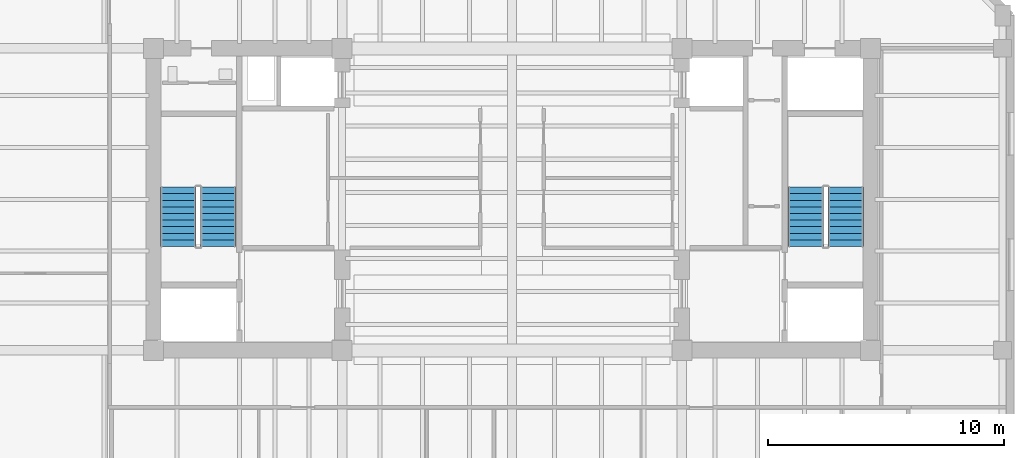
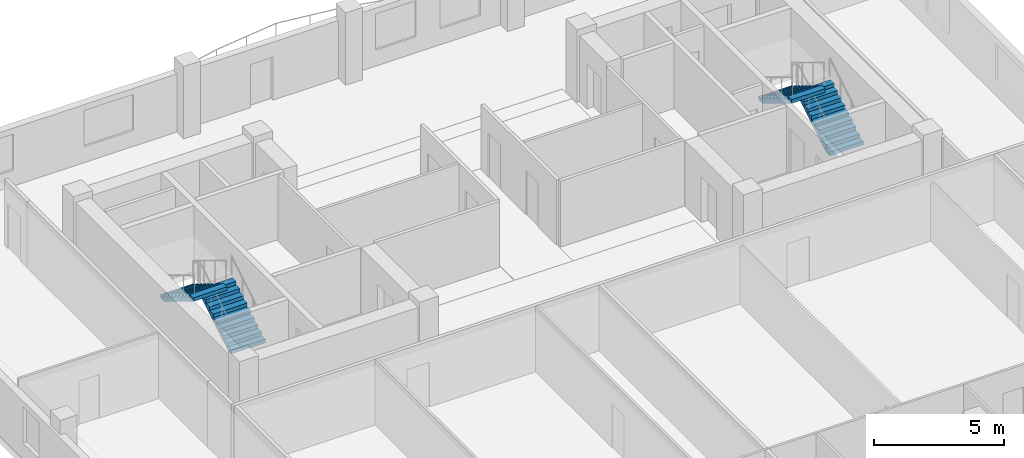
# One storey, part 6 of 11: 4 stair flights, 2 elements without a shape of their own.
"""IFC4 building model written with IfcOpenShell, lengths in metres."""

from ifc_helpers import new_model, si_unit, direction, frame, origin, place, context, subcontext, project, spatial, polyline, outline, extrude, material, type_object, element, aggregate, save


model = new_model("IFC4")

# Units and contexts
model_context = context("Model", 3, precision=1e-05, world=origin(), true_north=direction((0.0, 1.0)))
body_context = subcontext(model_context, "Body", "Model", "MODEL_VIEW")
ifc_project = project(units=[si_unit("LENGTHUNIT", "METRE"), si_unit("AREAUNIT", "SQUARE_METRE"), si_unit("VOLUMEUNIT", "CUBIC_METRE"), si_unit("PLANEANGLEUNIT", "RADIAN"), si_unit("MASSUNIT", "GRAM", prefix="KILO")], contexts=[model_context])

# Site, building, storey
site_placement = place(None, origin())
site = spatial("IfcSite", under=ifc_project, at=site_placement, CompositionType="ELEMENT")
building_placement = place(site_placement, origin())
building = spatial("IfcBuilding", under=site, at=building_placement, Name="Kranthara Brick Stack", CompositionType="ELEMENT")
storey_placement = place(building_placement, frame((0.0, 0.0, 210.89990234375)))
storey = spatial("IfcBuildingStorey", under=building, at=storey_placement, Name="L54", CompositionType="ELEMENT", Elevation=210.89990234375)

# Stair, stair flights
ifc_material_1 = material(Name="Concrete C45/55", Category="concrete")
stair_type = type_object("IfcStairType", Name="ST-CORE-20R", PredefinedType="HALF_TURN_STAIR", material=ifc_material_1)
stair_1_placement = place(storey_placement, origin())
stair_1 = element("IfcStair", 1, at=stair_1_placement, inside=storey, type_object=stair_type, Name="L54 West Core Protected Exit Stair ST01", PredefinedType="HALF_TURN_STAIR")
ifc_material_2 = material(Name="Concrete C45/55", Category="concrete")
stair_flight_type = type_object("IfcStairFlightType", Name="SFL-RC-20R", PredefinedType="STRAIGHT", material=ifc_material_2)
stair_flight_1_placement = place(storey_placement, frame((15.550048828125, 25.199951171875, 0.0), z_axis=(0.0, 0.0, 1.0), x_axis=(0.0, 1.0, 0.0)))
stair_flight_1 = element("IfcStairFlight", 2, at=stair_flight_1_placement, type_object=stair_flight_type, Name="ST01 flight 1", NumberOfRisers=10, NumberOfTreads=9, PredefinedType="STRAIGHT", RiserHeight=0.17, TreadLength=0.28, context=body_context, shape_type="SweptSolid", body=[
    extrude(outline(polyline([(0.0, 0.0), (0.0, 0.169921875), (0.280029296875, 0.169921875), (0.280029296875, 0.340087890625), (0.56005859375, 0.340087890625), (0.56005859375, 0.510009765625), (0.840087890625, 0.510009765625), (0.840087890625, 0.679931640625), (1.1201171875, 0.679931640625), (1.1201171875, 0.85009765625), (1.39990234375, 0.85009765625), (1.39990234375, 1.02001953125), (1.679931640625, 1.02001953125), (1.679931640625, 1.18994140625), (1.9599609375, 1.18994140625), (1.9599609375, 1.360107421875), (2.239990234375, 1.360107421875), (2.239990234375, 1.530029296875), (2.52001953125, 1.530029296875), (2.52001953125, 1.699951171875), (2.52001953125, 1.354736328125), (0.288818359375, 0.0), (0.0, 0.0)])), frame((0.0, 0.75, 0.0), z_axis=(0.0, -1.0, 0.0), x_axis=(1.0, 0.0, 0.0)), (0.0, 0.0, 1.0), 1.5),
])
stair_flight_2_placement = place(storey_placement, frame((13.85009765625, 27.719970703125, 1.7001953125), z_axis=(0.0, 0.0, 1.0), x_axis=(0.0, -1.0, 0.0)))
stair_flight_2 = element("IfcStairFlight", 3, at=stair_flight_2_placement, type_object=stair_flight_type, Name="ST01 flight 2", NumberOfRisers=10, NumberOfTreads=9, PredefinedType="STRAIGHT", RiserHeight=0.17, TreadLength=0.28, context=body_context, shape_type="SweptSolid", body=[
    extrude(outline(polyline([(0.0, 0.0), (0.0, 0.169921875), (0.280029296875, 0.169921875), (0.280029296875, 0.340087890625), (0.56005859375, 0.340087890625), (0.56005859375, 0.510009765625), (0.840087890625, 0.510009765625), (0.840087890625, 0.679931640625), (1.1201171875, 0.679931640625), (1.1201171875, 0.85009765625), (1.39990234375, 0.85009765625), (1.39990234375, 1.02001953125), (1.679931640625, 1.02001953125), (1.679931640625, 1.18994140625), (1.9599609375, 1.18994140625), (1.9599609375, 1.360107421875), (2.239990234375, 1.360107421875), (2.239990234375, 1.530029296875), (2.52001953125, 1.530029296875), (2.52001953125, 1.699951171875), (2.52001953125, 1.354736328125), (0.288818359375, 0.0), (0.0, 0.0)])), frame((0.0, 0.75, 0.0), z_axis=(0.0, -1.0, 0.0), x_axis=(1.0, 0.0, 0.0)), (0.0, 0.0, 1.0), 1.5),
])
aggregate(stair_1, [stair_flight_1, stair_flight_2])

stair_2_placement = place(storey_placement, origin())
stair_2 = element("IfcStair", 4, at=stair_2_placement, inside=storey, type_object=stair_type, Name="L54 East Core Protected Exit Stair ST02", PredefinedType="HALF_TURN_STAIR")
stair_flight_3_placement = place(storey_placement, frame((42.14990234375, 25.199951171875, 0.0), z_axis=(0.0, 0.0, 1.0), x_axis=(0.0, 1.0, 0.0)))
stair_flight_3 = element("IfcStairFlight", 5, at=stair_flight_3_placement, type_object=stair_flight_type, Name="ST02 flight 1", NumberOfRisers=10, NumberOfTreads=9, PredefinedType="STRAIGHT", RiserHeight=0.17, TreadLength=0.28, context=body_context, shape_type="SweptSolid", body=[
    extrude(outline(polyline([(0.0, 0.0), (0.0, 0.169921875), (0.280029296875, 0.169921875), (0.280029296875, 0.340087890625), (0.56005859375, 0.340087890625), (0.56005859375, 0.510009765625), (0.840087890625, 0.510009765625), (0.840087890625, 0.679931640625), (1.1201171875, 0.679931640625), (1.1201171875, 0.85009765625), (1.39990234375, 0.85009765625), (1.39990234375, 1.02001953125), (1.679931640625, 1.02001953125), (1.679931640625, 1.18994140625), (1.9599609375, 1.18994140625), (1.9599609375, 1.360107421875), (2.239990234375, 1.360107421875), (2.239990234375, 1.530029296875), (2.52001953125, 1.530029296875), (2.52001953125, 1.699951171875), (2.52001953125, 1.354736328125), (0.288818359375, 0.0), (0.0, 0.0)])), frame((0.0, 0.75, 0.0), z_axis=(0.0, -1.0, 0.0), x_axis=(1.0, 0.0, 0.0)), (0.0, 0.0, 1.0), 1.5),
])
stair_flight_4_placement = place(storey_placement, frame((40.449951171875, 27.719970703125, 1.7001953125), z_axis=(0.0, 0.0, 1.0), x_axis=(0.0, -1.0, 0.0)))
stair_flight_4 = element("IfcStairFlight", 6, at=stair_flight_4_placement, type_object=stair_flight_type, Name="ST02 flight 2", NumberOfRisers=10, NumberOfTreads=9, PredefinedType="STRAIGHT", RiserHeight=0.17, TreadLength=0.28, context=body_context, shape_type="SweptSolid", body=[
    extrude(outline(polyline([(0.0, 0.0), (0.0, 0.169921875), (0.280029296875, 0.169921875), (0.280029296875, 0.340087890625), (0.56005859375, 0.340087890625), (0.56005859375, 0.510009765625), (0.840087890625, 0.510009765625), (0.840087890625, 0.679931640625), (1.1201171875, 0.679931640625), (1.1201171875, 0.85009765625), (1.39990234375, 0.85009765625), (1.39990234375, 1.02001953125), (1.679931640625, 1.02001953125), (1.679931640625, 1.18994140625), (1.9599609375, 1.18994140625), (1.9599609375, 1.360107421875), (2.239990234375, 1.360107421875), (2.239990234375, 1.530029296875), (2.52001953125, 1.530029296875), (2.52001953125, 1.699951171875), (2.52001953125, 1.354736328125), (0.288818359375, 0.0), (0.0, 0.0)])), frame((0.0, 0.75, 0.0), z_axis=(0.0, -1.0, 0.0), x_axis=(1.0, 0.0, 0.0)), (0.0, 0.0, 1.0), 1.5),
])
aggregate(stair_2, [stair_flight_3, stair_flight_4])

save(model, "model.ifc")
